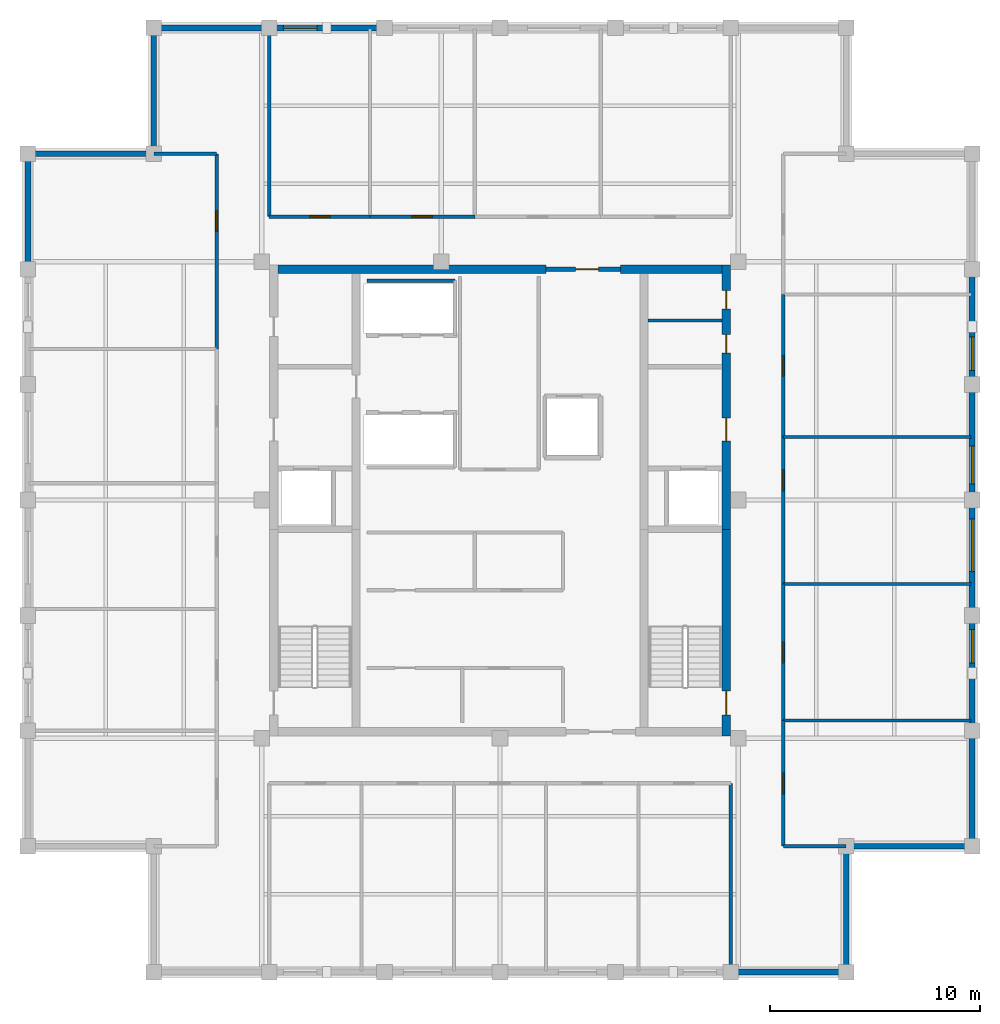
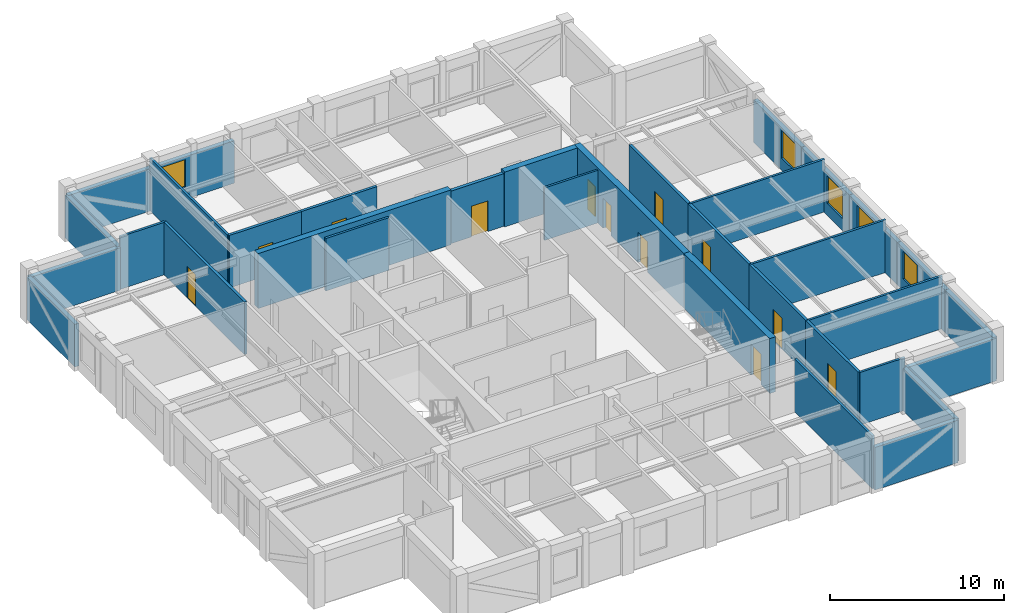
# One storey, part 4 of 6: 34 walls, 12 doors, 5 windows, 17 openings.
"""IFC4 building model written with IfcOpenShell, lengths in metres."""

from ifc_helpers import new_model, si_unit, direction, frame, frame_2d, origin, place, context, subcontext, project, spatial, rectangle, extrude, material, layer, layer_set, type_object, element, fill, save


model = new_model("IFC4")

# Units and contexts
model_context = context("Model", 3, precision=1e-05, world=origin(), true_north=direction((0.0, 1.0)))
body_context = subcontext(model_context, "Body", "Model", "MODEL_VIEW")
ifc_project = project(units=[si_unit("LENGTHUNIT", "METRE"), si_unit("AREAUNIT", "SQUARE_METRE"), si_unit("VOLUMEUNIT", "CUBIC_METRE"), si_unit("PLANEANGLEUNIT", "RADIAN"), si_unit("MASSUNIT", "GRAM", prefix="KILO")], contexts=[model_context])

# Site, building, storey
site_placement = place(None, origin())
site = spatial("IfcSite", under=ifc_project, at=site_placement, CompositionType="ELEMENT")
building_placement = place(site_placement, origin())
building = spatial("IfcBuilding", under=site, at=building_placement, Name="Nhamokura Convention Tower", CompositionType="ELEMENT")
storey_placement = place(building_placement, frame((0.0, 0.0, 289.10009765625)))
storey = spatial("IfcBuildingStorey", under=building, at=storey_placement, Name="L71", CompositionType="ELEMENT", Elevation=289.10009765625)

# Walls
ifc_material_1 = material(Name="Moisture-resistant tile-backer partition", Category="masonry")
ifc_layer_1 = layer(ifc_material_1, 0.139892578125)
ifc_layer_set_1 = layer_set([ifc_layer_1], Name="BathroomWetWall_140")
wall_type_1 = type_object("IfcWallType", Name="BathroomWetWall_140", PredefinedType="STANDARD", material=ifc_layer_set_1)
wall_1_placement = place(storey_placement, frame((39.06005859375, 40.550048828125, 0.0), z_axis=(0.0, 0.0, 1.0), x_axis=(1.0, 0.0, 0.0)))
element("IfcWall", 1, at=wall_1_placement, inside=storey, type_object=wall_type_1, Name="L71 Wall INT-L71-CWNE", PredefinedType="STANDARD", context=body_context, shape_type="SweptSolid", body=[
    extrude(rectangle(XDim=3.530029296875, YDim=0.139892578125, at=frame_2d((1.76513671875, 0.0))), origin(), (0.0, 0.0, 1.0), 3.684814453125),
])
ifc_material_2 = material(Name="Bronze-pigmented precast concrete C45/55", Category="concrete")
ifc_layer_2 = layer(ifc_material_2, 0.280029296875)
ifc_layer_set_2 = layer_set([ifc_layer_2], Name="BronzePrecastSpandrel_280")
wall_type_2 = type_object("IfcWallType", Name="BronzePrecastSpandrel_280", PredefinedType="USERDEFINED", material=ifc_layer_set_2)
for number, where, z_axis, x_axis, name in (
    (2, (48.5, 9.5, 0.0), (0.0, 0.0, 1.0), (-1.0, 0.0, 0.0), "L71 Braced-Bay Precast Wall SOUTH 5"),
    (3, (15.5, 54.5, 0.0), (0.0, 0.0, 1.0), (1.0, 0.0, 0.0), "L71 Braced-Bay Precast Wall NORTH 0"),
):
    element("IfcWall", number, at=place(storey_placement, frame(where, z_axis=z_axis, x_axis=x_axis)), inside=storey, type_object=wall_type_2, Name=name, ObjectType="SPANDREL_WALL", PredefinedType="USERDEFINED", context=body_context, shape_type="SweptSolid", body=[
        extrude(rectangle(XDim=5.5, YDim=0.280029296875, at=frame_2d((2.75, 0.0))), origin(), (0.0, 0.0, 1.0), 2.98486328125),
    ])

# Wall, opening, window
wall_2_placement = place(storey_placement, frame((21.0, 54.5, 0.0), z_axis=(0.0, 0.0, 1.0), x_axis=(1.0, 0.0, 0.0)))
wall_2 = element("IfcWall", 4, at=wall_2_placement, inside=storey, type_object=wall_type_2, Name="L71 Masonry-Frame Wall NORTH 1", ObjectType="SPANDREL_WALL", PredefinedType="USERDEFINED", context=body_context, shape_type="SweptSolid", body=[
    extrude(rectangle(XDim=5.5, YDim=0.280029296875, at=frame_2d((2.75, 0.0))), origin(), (0.0, 0.0, 1.0), 2.98486328125),
])
opening_1_placement = place(wall_2_placement, frame((0.675048828125, 0.0, 0.85009765625)))
opening_1 = element("IfcOpeningElement", 5, at=opening_1_placement, cuts=wall_2, Name="Opening W-11", PredefinedType="OPENING", context=body_context, shape_type="SweptSolid", body=[
    extrude(rectangle(XDim=1.60009765625, YDim=1.93505859375, at=frame_2d((0.800048828125, 0.967529296875))), frame((0.0, 0.14990234375, 0.0), z_axis=(0.0, -1.0, 0.0), x_axis=(1.0, 0.0, 0.0)), (0.0, 0.0, 1.0), 0.300048828125),
])
ifc_material_3 = material(Name="Solar-control bronze low-E double glass", Category="glass")
window_type_1 = type_object("IfcWindowType", Name="NotchCornerWindow_1600", PartitioningType="SINGLE_PANEL", PredefinedType="WINDOW", material=ifc_material_3)
window_1_placement = place(opening_1_placement, origin())
window_1 = element("IfcWindow", 6, at=window_1_placement, inside=storey, type_object=window_type_1, Name="L71 Facade Window NORTH 1-1", OverallHeight=1.93505859375, OverallWidth=1.60009765625, PartitioningType="SINGLE_PANEL", PredefinedType="WINDOW", context=body_context, shape_type="SweptSolid", body=[
    extrude(rectangle(XDim=1.60009765625, YDim=1.93505859375, at=frame_2d((0.800048828125, 0.967529296875))), frame((0.0, 0.030029296875, 0.0), z_axis=(0.0, -1.0, 0.0), x_axis=(1.0, 0.0, 0.0)), (0.0, 0.0, 1.0), 0.06005859375),
])
fill(opening_1, window_1)

# Walls
for number, where, z_axis, x_axis, name in (
    (7, (9.5, 43.0, 0.0), (0.0, 0.0, 1.0), (0.0, 1.0, 0.0), "L71 Braced-Bay Precast Wall WEST 5"),
    (8, (54.5, 21.0, 0.0), (0.0, 0.0, 1.0), (0.0, -1.0, 0.0), "L71 Braced-Bay Precast Wall EAST 0"),
):
    element("IfcWall", number, at=place(storey_placement, frame(where, z_axis=z_axis, x_axis=x_axis)), inside=storey, type_object=wall_type_2, Name=name, ObjectType="SPANDREL_WALL", PredefinedType="USERDEFINED", context=body_context, shape_type="SweptSolid", body=[
        extrude(rectangle(XDim=5.5, YDim=0.280029296875, at=frame_2d((2.75, 0.0))), origin(), (0.0, 0.0, 1.0), 2.98486328125),
    ])

# Wall, opening, window
wall_3_placement = place(storey_placement, frame((54.5, 26.5, 0.0), z_axis=(0.0, 0.0, 1.0), x_axis=(0.0, -1.0, 0.0)))
wall_3 = element("IfcWall", 9, at=wall_3_placement, inside=storey, type_object=wall_type_2, Name="L71 Masonry-Frame Wall EAST 1", ObjectType="SPANDREL_WALL", PredefinedType="USERDEFINED", context=body_context, shape_type="SweptSolid", body=[
    extrude(rectangle(XDim=5.5, YDim=0.280029296875, at=frame_2d((2.75, 0.0))), origin(), (0.0, 0.0, 1.0), 2.98486328125),
])
opening_2_placement = place(wall_3_placement, frame((0.675048828125, 0.0, 0.85009765625)))
opening_2 = element("IfcOpeningElement", 10, at=opening_2_placement, cuts=wall_3, Name="Opening W-11", PredefinedType="OPENING", context=body_context, shape_type="SweptSolid", body=[
    extrude(rectangle(XDim=1.60009765625, YDim=1.93505859375, at=frame_2d((0.800048828125, 0.967529296875))), frame((0.0, 0.14990234375, 0.0), z_axis=(0.0, -1.0, 0.0), x_axis=(1.0, 0.0, 0.0)), (0.0, 0.0, 1.0), 0.300048828125),
])
window_2_placement = place(opening_2_placement, origin())
window_2 = element("IfcWindow", 11, at=window_2_placement, inside=storey, type_object=window_type_1, Name="L71 Facade Window EAST 1-1", OverallHeight=1.93505859375, OverallWidth=1.60009765625, PartitioningType="SINGLE_PANEL", PredefinedType="WINDOW", context=body_context, shape_type="SweptSolid", body=[
    extrude(rectangle(XDim=1.60009765625, YDim=1.93505859375, at=frame_2d((0.800048828125, 0.967529296875))), frame((0.0, 0.030029296875, 0.0), z_axis=(0.0, -1.0, 0.0), x_axis=(1.0, 0.0, 0.0)), (0.0, 0.0, 1.0), 0.06005859375),
])
fill(opening_2, window_2)

wall_4_placement = place(storey_placement, frame((54.5, 32.0, 0.0), z_axis=(0.0, 0.0, 1.0), x_axis=(0.0, -1.0, 0.0)))
wall_4 = element("IfcWall", 12, at=wall_4_placement, inside=storey, type_object=wall_type_2, Name="L71 Masonry-Frame Wall EAST 2", ObjectType="SPANDREL_WALL", PredefinedType="USERDEFINED", context=body_context, shape_type="SweptSolid", body=[
    extrude(rectangle(XDim=5.5, YDim=0.280029296875, at=frame_2d((2.75, 0.0))), origin(), (0.0, 0.0, 1.0), 2.98486328125),
])
opening_3_placement = place(wall_4_placement, frame((0.91259765625, 0.0, 0.85009765625)))
opening_3 = element("IfcOpeningElement", 13, at=opening_3_placement, cuts=wall_4, Name="Opening W-09", PredefinedType="OPENING", context=body_context, shape_type="SweptSolid", body=[
    extrude(rectangle(XDim=2.5, YDim=1.93505859375, at=frame_2d((1.25, 0.967529296875))), frame((0.0, 0.14990234375, 0.0), z_axis=(0.0, -1.0, 0.0), x_axis=(1.0, 0.0, 0.0)), (0.0, 0.0, 1.0), 0.300048828125),
])
ifc_material_4 = material(Name="Solar-control bronze low-E double glass", Category="glass")
window_type_2 = type_object("IfcWindowType", Name="SummitWindow_Z4_2500", PartitioningType="DOUBLE_PANEL_VERTICAL", PredefinedType="WINDOW", material=ifc_material_4)
window_3_placement = place(opening_3_placement, origin())
window_3 = element("IfcWindow", 14, at=window_3_placement, inside=storey, type_object=window_type_2, Name="L71 Facade Window EAST 2-1", OverallHeight=1.93505859375, OverallWidth=2.5, PartitioningType="SINGLE_PANEL", PredefinedType="WINDOW", context=body_context, shape_type="SweptSolid", body=[
    extrude(rectangle(XDim=2.5, YDim=1.93505859375, at=frame_2d((1.25, 0.967529296875))), frame((0.0, 0.030029296875, 0.0), z_axis=(0.0, -1.0, 0.0), x_axis=(1.0, 0.0, 0.0)), (0.0, 0.0, 1.0), 0.06005859375),
])
fill(opening_3, window_3)

wall_5_placement = place(storey_placement, frame((54.5, 37.5, 0.0), z_axis=(0.0, 0.0, 1.0), x_axis=(0.0, -1.0, 0.0)))
wall_5 = element("IfcWall", 15, at=wall_5_placement, inside=storey, type_object=wall_type_2, Name="L71 Masonry-Frame Wall EAST 3", ObjectType="SPANDREL_WALL", PredefinedType="USERDEFINED", context=body_context, shape_type="SweptSolid", body=[
    extrude(rectangle(XDim=5.5, YDim=0.280029296875, at=frame_2d((2.75, 0.0))), origin(), (0.0, 0.0, 1.0), 2.98486328125),
])
opening_4_placement = place(wall_5_placement, frame((2.9375, 0.0, 0.85009765625)))
opening_4 = element("IfcOpeningElement", 16, at=opening_4_placement, cuts=wall_5, Name="Opening W-10", PredefinedType="OPENING", context=body_context, shape_type="SweptSolid", body=[
    extrude(rectangle(XDim=1.800048828125, YDim=1.93505859375, at=frame_2d((0.89990234375, 0.967529296875))), frame((0.0, 0.14990234375, 0.0), z_axis=(0.0, -1.0, 0.0), x_axis=(1.0, 0.0, 0.0)), (0.0, 0.0, 1.0), 0.300048828125),
])
ifc_material_5 = material(Name="Solar-control bronze low-E double glass", Category="glass")
window_type_3 = type_object("IfcWindowType", Name="SummitWindow_Z4_1800", PartitioningType="SINGLE_PANEL", PredefinedType="WINDOW", material=ifc_material_5)
window_4_placement = place(opening_4_placement, origin())
window_4 = element("IfcWindow", 17, at=window_4_placement, inside=storey, type_object=window_type_3, Name="L71 Facade Window EAST 3-2", OverallHeight=1.93505859375, OverallWidth=1.800048828125, PartitioningType="SINGLE_PANEL", PredefinedType="WINDOW", context=body_context, shape_type="SweptSolid", body=[
    extrude(rectangle(XDim=1.800048828125, YDim=1.93505859375, at=frame_2d((0.89990234375, 0.967529296875))), frame((0.0, 0.030029296875, 0.0), z_axis=(0.0, -1.0, 0.0), x_axis=(1.0, 0.0, 0.0)), (0.0, 0.0, 1.0), 0.06005859375),
])
fill(opening_4, window_4)

wall_6_placement = place(storey_placement, frame((54.5, 43.0, 0.0), z_axis=(0.0, 0.0, 1.0), x_axis=(0.0, -1.0, 0.0)))
wall_6 = element("IfcWall", 18, at=wall_6_placement, inside=storey, type_object=wall_type_2, Name="L71 Masonry-Frame Wall EAST 4", ObjectType="SPANDREL_WALL", PredefinedType="USERDEFINED", context=body_context, shape_type="SweptSolid", body=[
    extrude(rectangle(XDim=5.5, YDim=0.280029296875, at=frame_2d((2.75, 0.0))), origin(), (0.0, 0.0, 1.0), 2.98486328125),
])
opening_5_placement = place(wall_6_placement, frame((3.22509765625, 0.0, 0.85009765625)))
opening_5 = element("IfcOpeningElement", 19, at=opening_5_placement, cuts=wall_6, Name="Opening W-11", PredefinedType="OPENING", context=body_context, shape_type="SweptSolid", body=[
    extrude(rectangle(XDim=1.60009765625, YDim=1.93505859375, at=frame_2d((0.800048828125, 0.967529296875))), frame((0.0, 0.14990234375, 0.0), z_axis=(0.0, -1.0, 0.0), x_axis=(1.0, 0.0, 0.0)), (0.0, 0.0, 1.0), 0.300048828125),
])
window_5_placement = place(opening_5_placement, origin())
window_5 = element("IfcWindow", 20, at=window_5_placement, inside=storey, type_object=window_type_1, Name="L71 Facade Window EAST 4-3", OverallHeight=1.93505859375, OverallWidth=1.60009765625, PartitioningType="SINGLE_PANEL", PredefinedType="WINDOW", context=body_context, shape_type="SweptSolid", body=[
    extrude(rectangle(XDim=1.60009765625, YDim=1.93505859375, at=frame_2d((0.800048828125, 0.967529296875))), frame((0.0, 0.030029296875, 0.0), z_axis=(0.0, -1.0, 0.0), x_axis=(1.0, 0.0, 0.0)), (0.0, 0.0, 1.0), 0.06005859375),
])
fill(opening_5, window_5)

# Walls
for number, where, z_axis, x_axis, name in (
    (21, (48.5, 15.5, 0.0), (0.0, 0.0, 1.0), (0.0, -1.0, 0.0), "L71 Notched Corner Wall SE1"),
    (22, (54.5, 15.5, 0.0), (0.0, 0.0, 1.0), (-1.0, 0.0, 0.0), "L71 Notched Corner Wall SE2"),
    (23, (15.5, 48.5, 0.0), (0.0, 0.0, 1.0), (0.0, 1.0, 0.0), "L71 Notched Corner Wall NW1"),
    (24, (9.5, 48.5, 0.0), (0.0, 0.0, 1.0), (1.0, 0.0, 0.0), "L71 Notched Corner Wall NW2"),
):
    element("IfcWall", number, at=place(storey_placement, frame(where, z_axis=z_axis, x_axis=x_axis)), inside=storey, type_object=wall_type_2, Name=name, ObjectType="SPANDREL_WALL", PredefinedType="USERDEFINED", context=body_context, shape_type="SweptSolid", body=[
        extrude(rectangle(XDim=6.0, YDim=0.280029296875, at=frame_2d((3.0, 0.0))), origin(), (0.0, 0.0, 1.0), 2.98486328125),
    ])

# Wall, opening, door
ifc_material_6 = material(Name="Concrete C50/60", Category="concrete")
ifc_layer_3 = layer(ifc_material_6, 0.39990234375)
ifc_layer_set_3 = layer_set([ifc_layer_3], Name="CoreShearWall_400")
wall_type_3 = type_object("IfcWallType", Name="CoreShearWall_400", PredefinedType="SHEAR", material=ifc_layer_set_3)
wall_7_placement = place(storey_placement, frame((42.7900390625, 20.75, 0.0), z_axis=(0.0, 0.0, 1.0), x_axis=(0.0, 1.0, 0.0)))
wall_7 = element("IfcWall", 25, at=wall_7_placement, inside=storey, type_object=wall_type_3, Name="L71 Core Shear Wall CW-ES", PredefinedType="SHEAR", context=body_context, shape_type="SweptSolid", body=[
    extrude(rectangle(XDim=9.85009765625, YDim=0.39990234375, at=frame_2d((4.925048828125, 0.0))), origin(), (0.0, 0.0, 1.0), 3.849853515625),
])
opening_6_placement = place(wall_7_placement, frame((1.0, 0.0, 0.0)))
opening_6 = element("IfcOpeningElement", 26, at=opening_6_placement, cuts=wall_7, Name="Opening D-04", PredefinedType="OPENING", context=body_context, shape_type="SweptSolid", body=[
    extrude(rectangle(XDim=1.14990234375, YDim=2.14990234375, at=frame_2d((0.574951171875, 1.074951171875))), frame((0.0, 0.2099609375, 0.0), z_axis=(0.0, -1.0, 0.0), x_axis=(1.0, 0.0, 0.0)), (0.0, 0.0, 1.0), 0.419921875),
])
ifc_material_7 = material(Name="Fire-rated steel door", Category="steel")
door_type_1 = type_object("IfcDoorType", Name="StairSmokeDoor_1150", OperationType="NOTDEFINED", PredefinedType="DOOR", material=ifc_material_7)
door_1_placement = place(opening_6_placement, origin())
door_1 = element("IfcDoor", 27, at=door_1_placement, inside=storey, type_object=door_type_1, Name="L71 Core Door INT-L71-D-ST02", OperationType="SINGLE_SWING_RIGHT", OverallHeight=2.14990234375, OverallWidth=1.14990234375, PredefinedType="DOOR", context=body_context, shape_type="SweptSolid", body=[
    extrude(rectangle(XDim=1.14990234375, YDim=2.14990234375, at=frame_2d((0.574951171875, 1.074951171875))), frame((0.0, 0.02490234375, 0.0), z_axis=(0.0, -1.0, 0.0), x_axis=(1.0, 0.0, 0.0)), (0.0, 0.0, 1.0), 0.050048828125),
])
fill(opening_6, door_1)

# Wall, openings, doors
wall_8_placement = place(storey_placement, frame((42.7900390625, 30.60009765625, 0.0), z_axis=(0.0, 0.0, 1.0), x_axis=(0.0, 1.0, 0.0)))
wall_8 = element("IfcWall", 28, at=wall_8_placement, inside=storey, type_object=wall_type_3, Name="L71 Core Shear Wall CW-EN", PredefinedType="SHEAR", context=body_context, shape_type="SweptSolid", body=[
    extrude(rectangle(XDim=12.599853515625, YDim=0.39990234375, at=frame_2d((6.2998046875, 0.0))), origin(), (0.0, 0.0, 1.0), 3.849853515625),
])
opening_7_placement = place(wall_8_placement, frame((4.199951171875, 0.0, 0.0)))
opening_7 = element("IfcOpeningElement", 29, at=opening_7_placement, cuts=wall_8, Name="Opening D-05", PredefinedType="OPENING", context=body_context, shape_type="SweptSolid", body=[
    extrude(rectangle(XDim=1.10009765625, YDim=2.14990234375, at=frame_2d((0.550048828125, 1.074951171875))), frame((0.0, 0.2099609375, 0.0), z_axis=(0.0, -1.0, 0.0), x_axis=(1.0, 0.0, 0.0)), (0.0, 0.0, 1.0), 0.419921875),
])
opening_8_placement = place(wall_8_placement, frame((8.39990234375, 0.0, 0.0)))
opening_8 = element("IfcOpeningElement", 30, at=opening_8_placement, cuts=wall_8, Name="Opening D-11", PredefinedType="OPENING", context=body_context, shape_type="SweptSolid", body=[
    extrude(rectangle(XDim=0.8798828125, YDim=2.10009765625, at=frame_2d((0.43994140625, 1.050048828125))), frame((0.0, 0.2099609375, 0.0), z_axis=(0.0, -1.0, 0.0), x_axis=(1.0, 0.0, 0.0)), (0.0, 0.0, 1.0), 0.419921875),
])
opening_9_placement = place(wall_8_placement, frame((10.5, 0.0, 0.0)))
opening_9 = element("IfcOpeningElement", 31, at=opening_9_placement, cuts=wall_8, Name="Opening D-11", PredefinedType="OPENING", context=body_context, shape_type="SweptSolid", body=[
    extrude(rectangle(XDim=0.8798828125, YDim=2.10009765625, at=frame_2d((0.43994140625, 1.050048828125))), frame((0.0, 0.2099609375, 0.0), z_axis=(0.0, -1.0, 0.0), x_axis=(1.0, 0.0, 0.0)), (0.0, 0.0, 1.0), 0.419921875),
])
ifc_material_8 = material(Name="Solid oak hardwood", Category="wood")
door_type_2 = type_object("IfcDoorType", Name="BathroomDoor_880", OperationType="NOTDEFINED", PredefinedType="DOOR", material=ifc_material_8)
door_2_placement = place(opening_8_placement, origin())
door_2 = element("IfcDoor", 32, at=door_2_placement, inside=storey, type_object=door_type_2, Name="L71 Core Door INT-L71-D-MWC", OperationType="SINGLE_SWING_RIGHT", OverallHeight=2.10009765625, OverallWidth=0.8798828125, PredefinedType="DOOR", context=body_context, shape_type="SweptSolid", body=[
    extrude(rectangle(XDim=0.8798828125, YDim=2.10009765625, at=frame_2d((0.43994140625, 1.050048828125))), frame((0.0, 0.02490234375, 0.0), z_axis=(0.0, -1.0, 0.0), x_axis=(1.0, 0.0, 0.0)), (0.0, 0.0, 1.0), 0.050048828125),
])
fill(opening_8, door_2)
door_3_placement = place(opening_9_placement, origin())
door_3 = element("IfcDoor", 33, at=door_3_placement, inside=storey, type_object=door_type_2, Name="L71 Core Door INT-L71-D-FWC", OperationType="SINGLE_SWING_LEFT", OverallHeight=2.10009765625, OverallWidth=0.8798828125, PredefinedType="DOOR", context=body_context, shape_type="SweptSolid", body=[
    extrude(rectangle(XDim=0.8798828125, YDim=2.10009765625, at=frame_2d((0.43994140625, 1.050048828125))), frame((0.0, 0.02490234375, 0.0), z_axis=(0.0, -1.0, 0.0), x_axis=(1.0, 0.0, 0.0)), (0.0, 0.0, 1.0), 0.050048828125),
])
fill(opening_9, door_3)
ifc_material_9 = material(Name="Fire-rated steel door", Category="steel")
door_type_3 = type_object("IfcDoorType", Name="FireLobbyDoor_1100", OperationType="NOTDEFINED", PredefinedType="DOOR", material=ifc_material_9)
door_4_placement = place(opening_7_placement, origin())
door_4 = element("IfcDoor", 34, at=door_4_placement, inside=storey, type_object=door_type_3, Name="L71 Core Door INT-L71-D-FFLE", OperationType="SINGLE_SWING_LEFT", OverallHeight=2.14990234375, OverallWidth=1.10009765625, PredefinedType="DOOR", context=body_context, shape_type="SweptSolid", body=[
    extrude(rectangle(XDim=1.10009765625, YDim=2.14990234375, at=frame_2d((0.550048828125, 1.074951171875))), frame((0.0, 0.02490234375, 0.0), z_axis=(0.0, -1.0, 0.0), x_axis=(1.0, 0.0, 0.0)), (0.0, 0.0, 1.0), 0.050048828125),
])
fill(opening_7, door_4)

# Walls
wall_9_placement = place(storey_placement, frame((21.409912109375, 43.0, 0.0), z_axis=(0.0, 0.0, 1.0), x_axis=(1.0, 0.0, 0.0)))
element("IfcWall", 35, at=wall_9_placement, inside=storey, type_object=wall_type_3, Name="L71 Core Shear Wall CW-N1", PredefinedType="SHEAR", context=body_context, shape_type="SweptSolid", body=[
    extrude(rectangle(XDim=12.7900390625, YDim=0.39990234375, at=frame_2d((6.39501953125, 0.0))), origin(), (0.0, 0.0, 1.0), 3.849853515625),
])
wall_10_placement = place(storey_placement, frame((37.75, 43.0, 0.0), z_axis=(0.0, 0.0, 1.0), x_axis=(1.0, 0.0, 0.0)))
element("IfcWall", 36, at=wall_10_placement, inside=storey, type_object=wall_type_3, Name="L71 Core Shear Wall CW-N2", PredefinedType="SHEAR", context=body_context, shape_type="SweptSolid", body=[
    extrude(rectangle(XDim=4.840087890625, YDim=0.39990234375, at=frame_2d((2.419921875, 0.0))), origin(), (0.0, 0.0, 1.0), 3.849853515625),
])

# Wall, opening, door
ifc_material_10 = material(Name="Fire-rated gypsum and masonry partition", Category="masonry")
ifc_layer_4 = layer(ifc_material_10, 0.179931640625)
ifc_layer_set_4 = layer_set([ifc_layer_4], Name="CorridorRatedWall_180")
wall_type_4 = type_object("IfcWallType", Name="CorridorRatedWall_180", PredefinedType="STANDARD", material=ifc_layer_set_4)
wall_11_placement = place(storey_placement, frame((21.0, 45.5, 0.0), z_axis=(0.0, 0.0, 1.0), x_axis=(1.0, 0.0, 0.0)))
wall_11 = element("IfcWall", 37, at=wall_11_placement, inside=storey, type_object=wall_type_4, Name="L71 Wall INT-L71-CW-N00", PredefinedType="STANDARD", context=body_context, shape_type="SweptSolid", body=[
    extrude(rectangle(XDim=4.800048828125, YDim=0.179931640625, at=frame_2d((2.39990234375, 0.0))), origin(), (0.0, 0.0, 1.0), 3.684814453125),
])
opening_10_placement = place(wall_11_placement, frame((1.925048828125, 0.0, 0.0)))
opening_10 = element("IfcOpeningElement", 38, at=opening_10_placement, cuts=wall_11, Name="Opening D-08", PredefinedType="OPENING", context=body_context, shape_type="SweptSolid", body=[
    extrude(rectangle(XDim=0.97998046875, YDim=2.199951171875, at=frame_2d((0.489990234375, 1.10009765625))), frame((0.0, 0.099853515625, 0.0), z_axis=(0.0, -1.0, 0.0), x_axis=(1.0, 0.0, 0.0)), (0.0, 0.0, 1.0), 0.199951171875),
])
ifc_material_11 = material(Name="Solid oak hardwood", Category="wood")
door_type_4 = type_object("IfcDoorType", Name="OfficeEntryDoor_980", OperationType="NOTDEFINED", PredefinedType="DOOR", material=ifc_material_11)
door_5_placement = place(opening_10_placement, origin())
door_5 = element("IfcDoor", 39, at=door_5_placement, inside=storey, type_object=door_type_4, Name="L71 Research Library N01 Door", OperationType="SINGLE_SWING_LEFT", OverallHeight=2.199951171875, OverallWidth=0.97998046875, PredefinedType="DOOR", context=body_context, shape_type="SweptSolid", body=[
    extrude(rectangle(XDim=0.97998046875, YDim=2.199951171875, at=frame_2d((0.489990234375, 1.10009765625))), frame((0.0, 0.02490234375, 0.0), z_axis=(0.0, -1.0, 0.0), x_axis=(1.0, 0.0, 0.0)), (0.0, 0.0, 1.0), 0.050048828125),
])
fill(opening_10, door_5)

wall_12_placement = place(storey_placement, frame((25.800048828125, 45.5, 0.0), z_axis=(0.0, 0.0, 1.0), x_axis=(1.0, 0.0, 0.0)))
wall_12 = element("IfcWall", 40, at=wall_12_placement, inside=storey, type_object=wall_type_4, Name="L71 Wall INT-L71-CW-N01", PredefinedType="STANDARD", context=body_context, shape_type="SweptSolid", body=[
    extrude(rectangle(XDim=5.0, YDim=0.179931640625, at=frame_2d((2.5, 0.0))), origin(), (0.0, 0.0, 1.0), 3.684814453125),
])
opening_11_placement = place(wall_12_placement, frame((2.0, 0.0, 0.0)))
opening_11 = element("IfcOpeningElement", 41, at=opening_11_placement, cuts=wall_12, Name="Opening D-08", PredefinedType="OPENING", context=body_context, shape_type="SweptSolid", body=[
    extrude(rectangle(XDim=0.97998046875, YDim=2.199951171875, at=frame_2d((0.489990234375, 1.10009765625))), frame((0.0, 0.099853515625, 0.0), z_axis=(0.0, -1.0, 0.0), x_axis=(1.0, 0.0, 0.0)), (0.0, 0.0, 1.0), 0.199951171875),
])
door_6_placement = place(opening_11_placement, origin())
door_6 = element("IfcDoor", 42, at=door_6_placement, inside=storey, type_object=door_type_4, Name="L71 Research Library N02 Door", OperationType="SINGLE_SWING_RIGHT", OverallHeight=2.199951171875, OverallWidth=0.97998046875, PredefinedType="DOOR", context=body_context, shape_type="SweptSolid", body=[
    extrude(rectangle(XDim=0.97998046875, YDim=2.199951171875, at=frame_2d((0.489990234375, 1.10009765625))), frame((0.0, 0.02490234375, 0.0), z_axis=(0.0, -1.0, 0.0), x_axis=(1.0, 0.0, 0.0)), (0.0, 0.0, 1.0), 0.050048828125),
])
fill(opening_11, door_6)

wall_13_placement = place(storey_placement, frame((18.5, 39.199951171875, 0.0), z_axis=(0.0, 0.0, 1.0), x_axis=(0.0, 1.0, 0.0)))
wall_13 = element("IfcWall", 43, at=wall_13_placement, inside=storey, type_object=wall_type_4, Name="L71 Wall INT-L71-CW-W04", PredefinedType="STANDARD", context=body_context, shape_type="SweptSolid", body=[
    extrude(rectangle(XDim=9.300048828125, YDim=0.179931640625, at=frame_2d((4.64990234375, 0.0))), origin(), (0.0, 0.0, 1.0), 3.684814453125),
])
opening_12_placement = place(wall_13_placement, frame((5.60009765625, 0.0, 0.0)))
opening_12 = element("IfcOpeningElement", 44, at=opening_12_placement, cuts=wall_13, Name="Opening D-08", PredefinedType="OPENING", context=body_context, shape_type="SweptSolid", body=[
    extrude(rectangle(XDim=0.97998046875, YDim=2.199951171875, at=frame_2d((0.489990234375, 1.10009765625))), frame((0.0, 0.099853515625, 0.0), z_axis=(0.0, -1.0, 0.0), x_axis=(1.0, 0.0, 0.0)), (0.0, 0.0, 1.0), 0.199951171875),
])
door_7_placement = place(opening_12_placement, origin())
door_7 = element("IfcDoor", 45, at=door_7_placement, inside=storey, type_object=door_type_4, Name="L71 Private Office W05 Door", OperationType="SINGLE_SWING_LEFT", OverallHeight=2.199951171875, OverallWidth=0.97998046875, PredefinedType="DOOR", context=body_context, shape_type="SweptSolid", body=[
    extrude(rectangle(XDim=0.97998046875, YDim=2.199951171875, at=frame_2d((0.489990234375, 1.10009765625))), frame((0.0, 0.02490234375, 0.0), z_axis=(0.0, -1.0, 0.0), x_axis=(1.0, 0.0, 0.0)), (0.0, 0.0, 1.0), 0.050048828125),
])
fill(opening_12, door_7)

wall_14_placement = place(storey_placement, frame((45.5, 15.5, 0.0), z_axis=(0.0, 0.0, 1.0), x_axis=(0.0, 1.0, 0.0)))
wall_14 = element("IfcWall", 46, at=wall_14_placement, inside=storey, type_object=wall_type_4, Name="L71 Wall INT-L71-CW-E00", PredefinedType="STANDARD", context=body_context, shape_type="SweptSolid", body=[
    extrude(rectangle(XDim=6.0, YDim=0.179931640625, at=frame_2d((3.0, 0.0))), origin(), (0.0, 0.0, 1.0), 3.684814453125),
])
opening_13_placement = place(wall_14_placement, frame((2.5, 0.0, 0.0)))
opening_13 = element("IfcOpeningElement", 47, at=opening_13_placement, cuts=wall_14, Name="Opening D-08", PredefinedType="OPENING", context=body_context, shape_type="SweptSolid", body=[
    extrude(rectangle(XDim=0.97998046875, YDim=2.199951171875, at=frame_2d((0.489990234375, 1.10009765625))), frame((0.0, 0.099853515625, 0.0), z_axis=(0.0, -1.0, 0.0), x_axis=(1.0, 0.0, 0.0)), (0.0, 0.0, 1.0), 0.199951171875),
])
door_8_placement = place(opening_13_placement, origin())
door_8 = element("IfcDoor", 48, at=door_8_placement, inside=storey, type_object=door_type_4, Name="L71 Reading Lounge E01 Door", OperationType="SINGLE_SWING_LEFT", OverallHeight=2.199951171875, OverallWidth=0.97998046875, PredefinedType="DOOR", context=body_context, shape_type="SweptSolid", body=[
    extrude(rectangle(XDim=0.97998046875, YDim=2.199951171875, at=frame_2d((0.489990234375, 1.10009765625))), frame((0.0, 0.02490234375, 0.0), z_axis=(0.0, -1.0, 0.0), x_axis=(1.0, 0.0, 0.0)), (0.0, 0.0, 1.0), 0.050048828125),
])
fill(opening_13, door_8)

wall_15_placement = place(storey_placement, frame((45.5, 21.5, 0.0), z_axis=(0.0, 0.0, 1.0), x_axis=(0.0, 1.0, 0.0)))
wall_15 = element("IfcWall", 49, at=wall_15_placement, inside=storey, type_object=wall_type_4, Name="L71 Wall INT-L71-CW-E01", PredefinedType="STANDARD", context=body_context, shape_type="SweptSolid", body=[
    extrude(rectangle(XDim=6.5, YDim=0.179931640625, at=frame_2d((3.25, 0.0))), origin(), (0.0, 0.0, 1.0), 3.684814453125),
])
opening_14_placement = place(wall_15_placement, frame((2.75, 0.0, 0.0)))
opening_14 = element("IfcOpeningElement", 50, at=opening_14_placement, cuts=wall_15, Name="Opening D-08", PredefinedType="OPENING", context=body_context, shape_type="SweptSolid", body=[
    extrude(rectangle(XDim=0.97998046875, YDim=2.199951171875, at=frame_2d((0.489990234375, 1.10009765625))), frame((0.0, 0.099853515625, 0.0), z_axis=(0.0, -1.0, 0.0), x_axis=(1.0, 0.0, 0.0)), (0.0, 0.0, 1.0), 0.199951171875),
])
door_9_placement = place(opening_14_placement, origin())
door_9 = element("IfcDoor", 51, at=door_9_placement, inside=storey, type_object=door_type_4, Name="L71 Private Office E02 Door", OperationType="SINGLE_SWING_RIGHT", OverallHeight=2.199951171875, OverallWidth=0.97998046875, PredefinedType="DOOR", context=body_context, shape_type="SweptSolid", body=[
    extrude(rectangle(XDim=0.97998046875, YDim=2.199951171875, at=frame_2d((0.489990234375, 1.10009765625))), frame((0.0, 0.02490234375, 0.0), z_axis=(0.0, -1.0, 0.0), x_axis=(1.0, 0.0, 0.0)), (0.0, 0.0, 1.0), 0.050048828125),
])
fill(opening_14, door_9)

wall_16_placement = place(storey_placement, frame((45.5, 28.0, 0.0), z_axis=(0.0, 0.0, 1.0), x_axis=(0.0, 1.0, 0.0)))
wall_16 = element("IfcWall", 52, at=wall_16_placement, inside=storey, type_object=wall_type_4, Name="L71 Wall INT-L71-CW-E02", PredefinedType="STANDARD", context=body_context, shape_type="SweptSolid", body=[
    extrude(rectangle(XDim=7.0, YDim=0.179931640625, at=frame_2d((3.5, 0.0))), origin(), (0.0, 0.0, 1.0), 3.684814453125),
])
opening_15_placement = place(wall_16_placement, frame((4.449951171875, 0.0, 0.0)))
opening_15 = element("IfcOpeningElement", 53, at=opening_15_placement, cuts=wall_16, Name="Opening D-08", PredefinedType="OPENING", context=body_context, shape_type="SweptSolid", body=[
    extrude(rectangle(XDim=0.97998046875, YDim=2.199951171875, at=frame_2d((0.489990234375, 1.10009765625))), frame((0.0, 0.099853515625, 0.0), z_axis=(0.0, -1.0, 0.0), x_axis=(1.0, 0.0, 0.0)), (0.0, 0.0, 1.0), 0.199951171875),
])
door_10_placement = place(opening_15_placement, origin())
door_10 = element("IfcDoor", 54, at=door_10_placement, inside=storey, type_object=door_type_4, Name="L71 Reading Lounge E03 Door", OperationType="SINGLE_SWING_LEFT", OverallHeight=2.199951171875, OverallWidth=0.97998046875, PredefinedType="DOOR", context=body_context, shape_type="SweptSolid", body=[
    extrude(rectangle(XDim=0.97998046875, YDim=2.199951171875, at=frame_2d((0.489990234375, 1.10009765625))), frame((0.0, 0.02490234375, 0.0), z_axis=(0.0, -1.0, 0.0), x_axis=(1.0, 0.0, 0.0)), (0.0, 0.0, 1.0), 0.050048828125),
])
fill(opening_15, door_10)

wall_17_placement = place(storey_placement, frame((45.5, 35.0, 0.0), z_axis=(0.0, 0.0, 1.0), x_axis=(0.0, 1.0, 0.0)))
wall_17 = element("IfcWall", 55, at=wall_17_placement, inside=storey, type_object=wall_type_4, Name="L71 Wall INT-L71-CW-E03", PredefinedType="STANDARD", context=body_context, shape_type="SweptSolid", body=[
    extrude(rectangle(XDim=6.800048828125, YDim=0.179931640625, at=frame_2d((3.39990234375, 0.0))), origin(), (0.0, 0.0, 1.0), 3.684814453125),
])
opening_16_placement = place(wall_17_placement, frame((2.89990234375, 0.0, 0.0)))
opening_16 = element("IfcOpeningElement", 56, at=opening_16_placement, cuts=wall_17, Name="Opening D-08", PredefinedType="OPENING", context=body_context, shape_type="SweptSolid", body=[
    extrude(rectangle(XDim=0.97998046875, YDim=2.199951171875, at=frame_2d((0.489990234375, 1.10009765625))), frame((0.0, 0.099853515625, 0.0), z_axis=(0.0, -1.0, 0.0), x_axis=(1.0, 0.0, 0.0)), (0.0, 0.0, 1.0), 0.199951171875),
])
door_11_placement = place(opening_16_placement, origin())
door_11 = element("IfcDoor", 57, at=door_11_placement, inside=storey, type_object=door_type_4, Name="L71 Private Office E04 Door", OperationType="SINGLE_SWING_RIGHT", OverallHeight=2.199951171875, OverallWidth=0.97998046875, PredefinedType="DOOR", context=body_context, shape_type="SweptSolid", body=[
    extrude(rectangle(XDim=0.97998046875, YDim=2.199951171875, at=frame_2d((0.489990234375, 1.10009765625))), frame((0.0, 0.02490234375, 0.0), z_axis=(0.0, -1.0, 0.0), x_axis=(1.0, 0.0, 0.0)), (0.0, 0.0, 1.0), 0.050048828125),
])
fill(opening_16, door_11)

ifc_material_12 = material(Name="Autoclaved concrete blockwork", Category="masonry")
ifc_layer_5 = layer(ifc_material_12, 0.219970703125)
ifc_layer_set_5 = layer_set([ifc_layer_5], Name="FireLobbyWall_220")
wall_type_5 = type_object("IfcWallType", Name="FireLobbyWall_220", PredefinedType="STANDARD", material=ifc_layer_set_5)
wall_18_placement = place(storey_placement, frame((34.199951171875, 43.0, 0.0), z_axis=(0.0, 0.0, 1.0), x_axis=(1.0, 0.0, 0.0)))
wall_18 = element("IfcWall", 58, at=wall_18_placement, inside=storey, type_object=wall_type_5, Name="L71 Wall INT-L71-CPORT-N", PredefinedType="STANDARD", context=body_context, shape_type="SweptSolid", body=[
    extrude(rectangle(XDim=3.550048828125, YDim=0.219970703125, at=frame_2d((1.77490234375, 0.0))), origin(), (0.0, 0.0, 1.0), 3.684814453125),
])
opening_17_placement = place(wall_18_placement, frame((1.39990234375, 0.0, 0.0)))
opening_17 = element("IfcOpeningElement", 59, at=opening_17_placement, cuts=wall_18, Name="Opening D-05", PredefinedType="OPENING", context=body_context, shape_type="SweptSolid", body=[
    extrude(rectangle(XDim=1.10009765625, YDim=2.14990234375, at=frame_2d((0.550048828125, 1.074951171875))), frame((0.0, 0.119873046875, 0.0), z_axis=(0.0, -1.0, 0.0), x_axis=(1.0, 0.0, 0.0)), (0.0, 0.0, 1.0), 0.239990234375),
])
door_12_placement = place(opening_17_placement, origin())
door_12 = element("IfcDoor", 60, at=door_12_placement, inside=storey, type_object=door_type_3, Name="L71 North Core Lobby Portal Door", OperationType="SINGLE_SWING_RIGHT", OverallHeight=2.14990234375, OverallWidth=1.10009765625, PredefinedType="DOOR", context=body_context, shape_type="SweptSolid", body=[
    extrude(rectangle(XDim=1.10009765625, YDim=2.14990234375, at=frame_2d((0.550048828125, 1.074951171875))), frame((0.0, 0.02490234375, 0.0), z_axis=(0.0, -1.0, 0.0), x_axis=(1.0, 0.0, 0.0)), (0.0, 0.0, 1.0), 0.050048828125),
])
fill(opening_17, door_12)

# Walls
ifc_material_13 = material(Name="Acoustic gypsum stud partition", Category="masonry")
ifc_layer_6 = layer(ifc_material_13, 0.14990234375)
ifc_layer_set_6 = layer_set([ifc_layer_6], Name="InteriorPartition_150")
wall_type_6 = type_object("IfcWallType", Name="InteriorPartition_150", PredefinedType="STANDARD", material=ifc_layer_set_6)
wall_19_placement = place(storey_placement, frame((25.64990234375, 42.449951171875, 0.0), z_axis=(0.0, 0.0, 1.0), x_axis=(1.0, 0.0, 0.0)))
element("IfcWall", 61, at=wall_19_placement, inside=storey, type_object=wall_type_6, Name="L71 Wall INT-L71-B3B-N", PredefinedType="STANDARD", context=body_context, shape_type="SweptSolid", body=[
    extrude(rectangle(XDim=4.2001953125, YDim=0.14990234375, at=frame_2d((2.10009765625, 0.0))), origin(), (0.0, 0.0, 1.0), 3.684814453125),
])
for number, where, z_axis, x_axis, name in (
    (62, (43.0, 9.56005859375, 0.0), (0.0, 0.0, 1.0), (0.0, 1.0, 0.0), "L71 Wall INT-L71-RWR-S"),
    (63, (21.0, 45.5, 0.0), (0.0, 0.0, 1.0), (0.0, 1.0, 0.0), "L71 Wall INT-L71-RWL-N"),
    (64, (45.5, 21.5, 0.0), (0.0, 0.0, 1.0), (1.0, 0.0, 0.0), "L71 Wall INT-L71-RW-E01"),
    (65, (45.5, 28.0, 0.0), (0.0, 0.0, 1.0), (1.0, 0.0, 0.0), "L71 Wall INT-L71-RW-E02"),
    (66, (45.5, 35.0, 0.0), (0.0, 0.0, 1.0), (1.0, 0.0, 0.0), "L71 Wall INT-L71-RW-E03"),
):
    element("IfcWall", number, at=place(storey_placement, frame(where, z_axis=z_axis, x_axis=x_axis)), inside=storey, type_object=wall_type_6, Name=name, PredefinedType="STANDARD", context=body_context, shape_type="SweptSolid", body=[
        extrude(rectangle(XDim=8.93994140625, YDim=0.14990234375, at=frame_2d((4.469970703125, 0.0))), origin(), (0.0, 0.0, 1.0), 3.684814453125),
    ])
for number, where, z_axis, x_axis, name in (
    (67, (15.5, 48.5, 0.0), (0.0, 0.0, 1.0), (1.0, 0.0, 0.0), "L71 Wall INT-L71-VSTP-WN"),
    (68, (45.5, 15.5, 0.0), (0.0, 0.0, 1.0), (1.0, 0.0, 0.0), "L71 Wall INT-L71-VSTP-ES"),
):
    element("IfcWall", number, at=place(storey_placement, frame(where, z_axis=z_axis, x_axis=x_axis)), inside=storey, type_object=wall_type_6, Name=name, PredefinedType="STANDARD", context=body_context, shape_type="SweptSolid", body=[
        extrude(rectangle(XDim=3.0, YDim=0.14990234375, at=frame_2d((1.5, 0.0))), origin(), (0.0, 0.0, 1.0), 3.684814453125),
    ])

save(model, "model.ifc")
